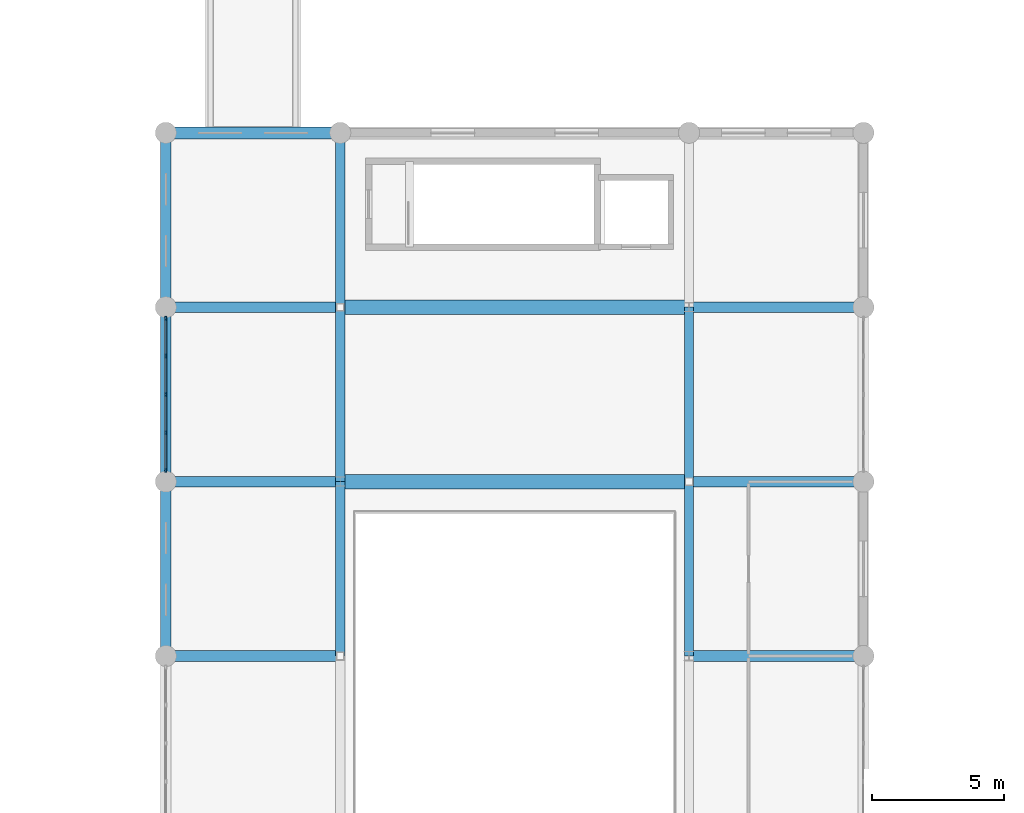
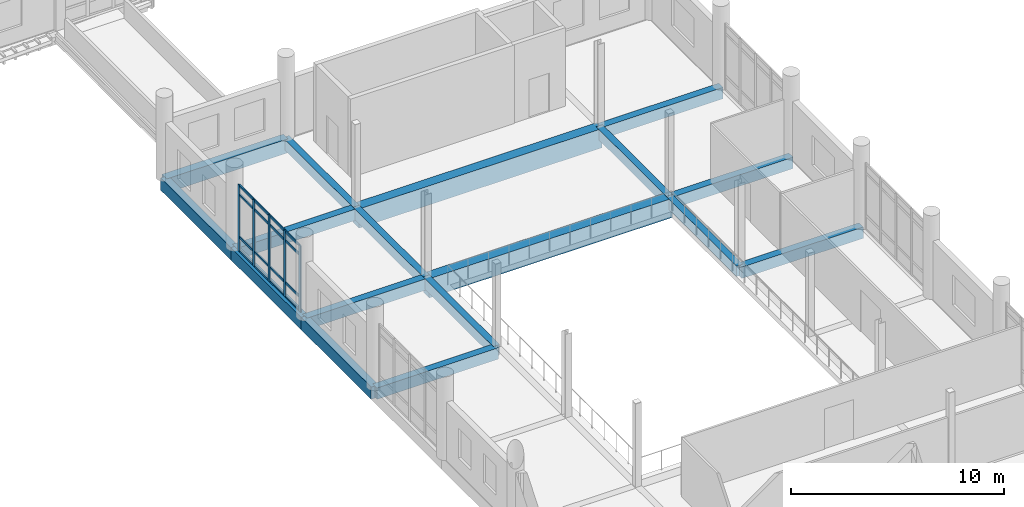
# One storey, part 13 of 76: 21 members, 17 beams, 1 element without a shape of its own.
"""IFC4 building model written with IfcOpenShell, lengths in metres."""

from ifc_helpers import new_model, si_unit, direction, frame, origin, origin_2d, place, context, subcontext, project, spatial, rectangle, extrude, material, material_profile, profile_set, type_object, element, aggregate, save


model = new_model("IFC4")

# Units and contexts
model_context = context("Model", 3, precision=1e-05, world=origin(), true_north=direction((0.0, 1.0)))
body_context = subcontext(model_context, "Body", "Model", "MODEL_VIEW")
ifc_project = project(units=[si_unit("LENGTHUNIT", "METRE"), si_unit("AREAUNIT", "SQUARE_METRE"), si_unit("VOLUMEUNIT", "CUBIC_METRE"), si_unit("PLANEANGLEUNIT", "RADIAN"), si_unit("MASSUNIT", "GRAM", prefix="KILO")], contexts=[model_context])

# Site, building, storey
site_placement = place(None, origin())
site = spatial("IfcSite", under=ifc_project, at=site_placement, CompositionType="ELEMENT")
building_placement = place(site_placement, origin())
building = spatial("IfcBuilding", under=site, at=building_placement, Name="Dornvale Research Institute", CompositionType="ELEMENT")
storey_placement = place(building_placement, frame((0.0, 0.0, 15.0)))
storey = spatial("IfcBuildingStorey", under=building, at=storey_placement, Name="L03", CompositionType="ELEMENT", Elevation=15.0)

# Beams
ifc_material_1 = material(Name="Concrete f'c 45 MPa (C35/45)", Category="concrete")
ifc_material_profile_1 = material_profile(ifc_material_1, rectangle(XDim=0.35009765625, YDim=0.60009765625, at=origin_2d()), Name="RC 350x600")
ifc_profile_set_1 = profile_set([ifc_material_profile_1], Name="Concrete f'c 45 MPa (C35/45)")
beam_type_1 = type_object("IfcBeamType", Name="Beam_RC350x600_Floor", PredefinedType="BEAM", material=ifc_profile_set_1)
beam_1_placement = place(storey_placement, frame((46.199951171875, 66.0, -0.300048828125), z_axis=(0.0, 1.0, 0.0), x_axis=(-1.0, 0.0, 0.0)))
element("IfcBeam", 1, at=beam_1_placement, inside=storey, type_object=beam_type_1, Name="L03 transverse girder #1097", PredefinedType="BEAM", context=body_context, shape_type="SweptSolid", body=[
    extrude(rectangle(XDim=0.35009765625, YDim=0.60009765625, at=origin_2d()), origin(), (0.0, 0.0, 1.0), 6.60009765625),
])
beam_2_placement = place(storey_placement, frame((46.199951171875, 72.60009765625, -0.300048828125), z_axis=(0.0, 1.0, 0.0), x_axis=(-1.0, 0.0, 0.0)))
element("IfcBeam", 2, at=beam_2_placement, inside=storey, type_object=beam_type_1, Name="L03 transverse girder #1098", PredefinedType="BEAM", context=body_context, shape_type="SweptSolid", body=[
    extrude(rectangle(XDim=0.35009765625, YDim=0.60009765625, at=origin_2d()), origin(), (0.0, 0.0, 1.0), 6.599853515625),
])
for number, where, z_axis, x_axis, name in (
    (3, (46.199951171875, 79.199951171875, -0.300048828125), (0.0, 1.0, 0.0), (-1.0, 0.0, 0.0), "L03 transverse girder #1099"),
    (4, (59.39990234375, 66.0, -0.300048828125), (0.0, 1.0, 0.0), (-1.0, 0.0, 0.0), "L03 transverse girder #1104"),
):
    element("IfcBeam", number, at=place(storey_placement, frame(where, z_axis=z_axis, x_axis=x_axis)), inside=storey, type_object=beam_type_1, Name=name, PredefinedType="BEAM", context=body_context, shape_type="SweptSolid", body=[
        extrude(rectangle(XDim=0.35009765625, YDim=0.60009765625, at=origin_2d()), origin(), (0.0, 0.0, 1.0), 6.60009765625),
    ])
beam_3_placement = place(storey_placement, frame((59.39990234375, 72.60009765625, -0.300048828125), z_axis=(0.0, 1.0, 0.0), x_axis=(-1.0, 0.0, 0.0)))
element("IfcBeam", 5, at=beam_3_placement, inside=storey, type_object=beam_type_1, Name="L03 transverse girder #1105", PredefinedType="BEAM", context=body_context, shape_type="SweptSolid", body=[
    extrude(rectangle(XDim=0.35009765625, YDim=0.60009765625, at=origin_2d()), origin(), (0.0, 0.0, 1.0), 6.599853515625),
])
ifc_material_2 = material(Name="Concrete f'c 45 MPa (C35/45)", Category="concrete")
ifc_material_profile_2 = material_profile(ifc_material_2, rectangle(XDim=0.39990234375, YDim=0.64990234375, at=origin_2d()), Name="RC 400x650")
ifc_profile_set_2 = profile_set([ifc_material_profile_2], Name="Concrete f'c 45 MPa (C35/45)")
beam_type_2 = type_object("IfcBeamType", Name="Beam_RC400x650_Floor", PredefinedType="BEAM", material=ifc_profile_set_2)
beam_4_placement = place(storey_placement, frame((39.60009765625, 66.0, -0.324951171875), z_axis=(1.0, 0.0, 0.0), x_axis=(0.0, 1.0, 0.0)))
element("IfcBeam", 6, at=beam_4_placement, inside=storey, type_object=beam_type_2, Name="L03 primary girder #1075", PredefinedType="BEAM", context=body_context, shape_type="SweptSolid", body=[
    extrude(rectangle(XDim=0.39990234375, YDim=0.64990234375, at=origin_2d()), origin(), (0.0, 0.0, 1.0), 6.599853515625),
])
beam_5_placement = place(storey_placement, frame((59.39990234375, 66.0, -0.324951171875), z_axis=(1.0, 0.0, 0.0), x_axis=(0.0, 1.0, 0.0)))
element("IfcBeam", 7, at=beam_5_placement, inside=storey, type_object=beam_type_2, Name="L03 primary girder #1076", PredefinedType="BEAM", context=body_context, shape_type="SweptSolid", body=[
    extrude(rectangle(XDim=0.39990234375, YDim=0.64990234375, at=origin_2d()), origin(), (0.0, 0.0, 1.0), 6.60009765625),
])
beam_6_placement = place(storey_placement, frame((39.60009765625, 72.60009765625, -0.324951171875), z_axis=(1.0, 0.0, 0.0), x_axis=(0.0, 1.0, 0.0)))
element("IfcBeam", 8, at=beam_6_placement, inside=storey, type_object=beam_type_2, Name="L03 primary girder #1077", PredefinedType="BEAM", context=body_context, shape_type="SweptSolid", body=[
    extrude(rectangle(XDim=0.39990234375, YDim=0.64990234375, at=origin_2d()), origin(), (0.0, 0.0, 1.0), 6.599853515625),
])
beam_7_placement = place(storey_placement, frame((59.39990234375, 72.60009765625, -0.324951171875), z_axis=(1.0, 0.0, 0.0), x_axis=(0.0, 1.0, 0.0)))
element("IfcBeam", 9, at=beam_7_placement, inside=storey, type_object=beam_type_2, Name="L03 primary girder #1079", PredefinedType="BEAM", context=body_context, shape_type="SweptSolid", body=[
    extrude(rectangle(XDim=0.39990234375, YDim=0.64990234375, at=origin_2d()), origin(), (0.0, 0.0, 1.0), 6.60009765625),
])
beam_8_placement = place(storey_placement, frame((39.60009765625, 79.199951171875, -0.324951171875), z_axis=(1.0, 0.0, 0.0), x_axis=(0.0, 1.0, 0.0)))
element("IfcBeam", 10, at=beam_8_placement, inside=storey, type_object=beam_type_2, Name="L03 primary girder #1080", PredefinedType="BEAM", context=body_context, shape_type="SweptSolid", body=[
    extrude(rectangle(XDim=0.39990234375, YDim=0.64990234375, at=origin_2d()), origin(), (0.0, 0.0, 1.0), 6.599853515625),
])
beam_9_placement = place(storey_placement, frame((59.39990234375, 79.199951171875, -0.324951171875), z_axis=(1.0, 0.0, 0.0), x_axis=(0.0, 1.0, 0.0)))
element("IfcBeam", 11, at=beam_9_placement, inside=storey, type_object=beam_type_2, Name="L03 primary girder #1082", PredefinedType="BEAM", context=body_context, shape_type="SweptSolid", body=[
    extrude(rectangle(XDim=0.39990234375, YDim=0.64990234375, at=origin_2d()), origin(), (0.0, 0.0, 1.0), 6.60009765625),
])
ifc_material_3 = material(Name="Concrete f'c 45 MPa (C35/45)", Category="concrete")
ifc_material_profile_3 = material_profile(ifc_material_3, rectangle(XDim=0.550048828125, YDim=1.10009765625, at=origin_2d()), Name="RC 550x1100")
ifc_profile_set_3 = profile_set([ifc_material_profile_3], Name="Concrete f'c 45 MPa (C35/45)")
beam_type_3 = type_object("IfcBeamType", Name="Beam_RC550x1100_Girder", PredefinedType="BEAM", material=ifc_profile_set_3)
for number, where, z_axis, x_axis, name in (
    (12, (46.199951171875, 72.60009765625, -0.550048828125), (1.0, 0.0, 0.0), (0.0, 1.0, 0.0), "L03 primary girder #1078"),
    (13, (46.199951171875, 79.199951171875, -0.550048828125), (1.0, 0.0, 0.0), (0.0, 1.0, 0.0), "L03 primary girder #1081"),
):
    element("IfcBeam", number, at=place(storey_placement, frame(where, z_axis=z_axis, x_axis=x_axis)), inside=storey, type_object=beam_type_3, Name=name, PredefinedType="BEAM", context=body_context, shape_type="SweptSolid", body=[
        extrude(rectangle(XDim=0.550048828125, YDim=1.10009765625, at=origin_2d()), origin(), (0.0, 0.0, 1.0), 13.199951171875),
    ])

# Curtain wall, members
ifc_material_4 = material(Name="Low-E Argon Double Insulating Glazing Unit", Category="glass")
curtain_wall_type = type_object("IfcCurtainWallType", Name="UnitisedCurtainWall_V2_5810x3820", PredefinedType="USERDEFINED", material=ifc_material_4)
curtain_wall_placement = place(storey_placement, origin())
curtain_wall = element("IfcCurtainWall", 14, at=curtain_wall_placement, inside=storey, type_object=curtain_wall_type, Name="L03 V2 unitised curtain wall CW-03 #16", ObjectType="UNITISED CURTAIN WALL", PredefinedType="USERDEFINED")
ifc_material_5 = material(Name="Anodized Aluminum AA 6063-T6 Thermally Broken Frame", Category="aluminium")
ifc_material_profile_4 = material_profile(ifc_material_5, rectangle(XDim=0.06494140625, YDim=0.1650390625, at=origin_2d()), Name="ALU MULLION 65x165")
ifc_profile_set_4 = profile_set([ifc_material_profile_4], Name="Anodized Aluminum AA 6063-T6 Thermally Broken Frame")
member_type_1 = type_object("IfcMemberType", Name="Mullion_Atrium_65x165", PredefinedType="MULLION", material=ifc_profile_set_4)
member_1_placement = place(storey_placement, frame((39.60009765625, 73.027587890625, 0.0), z_axis=(0.0, 0.0, 1.0), x_axis=(-1.0, 0.0, 0.0)))
member_1 = element("IfcMember", 15, at=member_1_placement, type_object=member_type_1, Name="CW-03 mullion 1", PredefinedType="MULLION", context=body_context, shape_type="SweptSolid", body=[
    extrude(rectangle(XDim=0.06494140625, YDim=0.1650390625, at=origin_2d()), origin(), (0.0, 0.0, 1.0), 3.820068359375),
])
member_2_placement = place(storey_placement, frame((39.60009765625, 74.447509765625, 0.0), z_axis=(0.0, 0.0, 1.0), x_axis=(-1.0, 0.0, 0.0)))
member_2 = element("IfcMember", 16, at=member_2_placement, type_object=member_type_1, Name="CW-03 mullion 2", PredefinedType="MULLION", context=body_context, shape_type="SweptSolid", body=[
    extrude(rectangle(XDim=0.06494140625, YDim=0.1650390625, at=origin_2d()), origin(), (0.0, 0.0, 1.0), 3.820068359375),
])
member_3_placement = place(storey_placement, frame((39.60009765625, 75.89990234375, 0.0), z_axis=(0.0, 0.0, 1.0), x_axis=(-1.0, 0.0, 0.0)))
member_3 = element("IfcMember", 17, at=member_3_placement, type_object=member_type_1, Name="CW-03 mullion 3", PredefinedType="MULLION", context=body_context, shape_type="SweptSolid", body=[
    extrude(rectangle(XDim=0.06494140625, YDim=0.1650390625, at=origin_2d()), origin(), (0.0, 0.0, 1.0), 3.820068359375),
])
member_4_placement = place(storey_placement, frame((39.60009765625, 77.3525390625, 0.0), z_axis=(0.0, 0.0, 1.0), x_axis=(-1.0, 0.0, 0.0)))
member_4 = element("IfcMember", 18, at=member_4_placement, type_object=member_type_1, Name="CW-03 mullion 4", PredefinedType="MULLION", context=body_context, shape_type="SweptSolid", body=[
    extrude(rectangle(XDim=0.06494140625, YDim=0.1650390625, at=origin_2d()), origin(), (0.0, 0.0, 1.0), 3.820068359375),
])
member_5_placement = place(storey_placement, frame((39.60009765625, 78.7724609375, 0.0), z_axis=(0.0, 0.0, 1.0), x_axis=(-1.0, 0.0, 0.0)))
member_5 = element("IfcMember", 19, at=member_5_placement, type_object=member_type_1, Name="CW-03 mullion 5", PredefinedType="MULLION", context=body_context, shape_type="SweptSolid", body=[
    extrude(rectangle(XDim=0.06494140625, YDim=0.1650390625, at=origin_2d()), origin(), (0.0, 0.0, 1.0), 3.820068359375),
])

# Beams
ifc_material_6 = material(Name="Concrete f'c 45 MPa (C35/45)", Category="concrete")
ifc_material_profile_5 = material_profile(ifc_material_6, rectangle(XDim=0.39990234375, YDim=0.699951171875, at=origin_2d()), Name="RC 400x700")
ifc_profile_set_5 = profile_set([ifc_material_profile_5], Name="Concrete f'c 45 MPa (C35/45)")
beam_type_4 = type_object("IfcBeamType", Name="Spandrel_RC400x700_Ext", PredefinedType="SPANDREL", material=ifc_profile_set_5)
beam_10_placement = place(storey_placement, frame((39.60009765625, 66.0, -0.35009765625), z_axis=(0.0, 1.0, 0.0), x_axis=(-1.0, 0.0, 0.0)))
element("IfcBeam", 20, at=beam_10_placement, inside=storey, type_object=beam_type_4, Name="L03 perimeter spandrel #1090", PredefinedType="SPANDREL", context=body_context, shape_type="SweptSolid", body=[
    extrude(rectangle(XDim=0.39990234375, YDim=0.699951171875, at=origin_2d()), origin(), (0.0, 0.0, 1.0), 6.60009765625),
])
beam_11_placement = place(storey_placement, frame((39.60009765625, 72.60009765625, -0.35009765625), z_axis=(0.0, 1.0, 0.0), x_axis=(-1.0, 0.0, 0.0)))
element("IfcBeam", 21, at=beam_11_placement, inside=storey, type_object=beam_type_4, Name="L03 perimeter spandrel #1091", PredefinedType="SPANDREL", context=body_context, shape_type="SweptSolid", body=[
    extrude(rectangle(XDim=0.39990234375, YDim=0.699951171875, at=origin_2d()), origin(), (0.0, 0.0, 1.0), 6.599853515625),
])
beam_12_placement = place(storey_placement, frame((39.60009765625, 79.199951171875, -0.35009765625), z_axis=(0.0, 1.0, 0.0), x_axis=(-1.0, 0.0, 0.0)))
element("IfcBeam", 22, at=beam_12_placement, inside=storey, type_object=beam_type_4, Name="L03 perimeter spandrel #1092", PredefinedType="SPANDREL", context=body_context, shape_type="SweptSolid", body=[
    extrude(rectangle(XDim=0.39990234375, YDim=0.699951171875, at=origin_2d()), origin(), (0.0, 0.0, 1.0), 6.60009765625),
])
ifc_material_7 = material(Name="Concrete f'c 45 MPa (C35/45)", Category="concrete")
ifc_material_profile_6 = material_profile(ifc_material_7, rectangle(XDim=0.449951171875, YDim=0.800048828125, at=origin_2d()), Name="RC 450x800")
ifc_profile_set_6 = profile_set([ifc_material_profile_6], Name="Concrete f'c 45 MPa (C35/45)")
beam_type_5 = type_object("IfcBeamType", Name="Spandrel_RC450x800_Ext", PredefinedType="SPANDREL", material=ifc_profile_set_6)
beam_13_placement = place(storey_placement, frame((39.60009765625, 85.800048828125, -0.39990234375), z_axis=(1.0, 0.0, 0.0), x_axis=(0.0, 1.0, 0.0)))
element("IfcBeam", 23, at=beam_13_placement, inside=storey, type_object=beam_type_5, Name="L03 perimeter spandrel #1083", PredefinedType="SPANDREL", context=body_context, shape_type="SweptSolid", body=[
    extrude(rectangle(XDim=0.449951171875, YDim=0.800048828125, at=origin_2d()), origin(), (0.0, 0.0, 1.0), 6.599853515625),
])

# Member
ifc_material_8 = material(Name="Anodized Aluminum AA 6063-T6 Thermally Broken Frame", Category="aluminium")
ifc_material_profile_7 = material_profile(ifc_material_8, rectangle(XDim=0.06494140625, YDim=0.135009765625, at=origin_2d()), Name="ALU TRANSOM 65x135")
ifc_profile_set_7 = profile_set([ifc_material_profile_7], Name="Anodized Aluminum AA 6063-T6 Thermally Broken Frame")
member_type_2 = type_object("IfcMemberType", Name="Transom_CW_65x135", PredefinedType="USERDEFINED", material=ifc_profile_set_7)
member_6_placement = place(storey_placement, frame((39.60009765625, 73.06005859375, 0.032470703125), z_axis=(0.0, 1.0, 0.0), x_axis=(-1.0, 0.0, 0.0)))
member_6 = element("IfcMember", 24, at=member_6_placement, type_object=member_type_2, Name="CW-03 transom 1.1", ObjectType="TRANSOM", PredefinedType="USERDEFINED", context=body_context, shape_type="SweptSolid", body=[
    extrude(rectangle(XDim=0.06494140625, YDim=0.135009765625, at=origin_2d()), origin(), (0.0, 0.0, 1.0), 1.35498046875),
])

member_7_placement = place(storey_placement, frame((39.60009765625, 73.06005859375, 0.85009765625), z_axis=(0.0, 1.0, 0.0), x_axis=(-1.0, 0.0, 0.0)))
member_7 = element("IfcMember", 25, at=member_7_placement, type_object=member_type_2, Name="CW-03 transom 1.2", ObjectType="TRANSOM", PredefinedType="USERDEFINED", context=body_context, shape_type="SweptSolid", body=[
    extrude(rectangle(XDim=0.06494140625, YDim=0.135009765625, at=origin_2d()), origin(), (0.0, 0.0, 1.0), 1.35498046875),
])

member_8_placement = place(storey_placement, frame((39.60009765625, 73.06005859375, 3.27001953125), z_axis=(0.0, 1.0, 0.0), x_axis=(-1.0, 0.0, 0.0)))
member_8 = element("IfcMember", 26, at=member_8_placement, type_object=member_type_2, Name="CW-03 transom 1.3", ObjectType="TRANSOM", PredefinedType="USERDEFINED", context=body_context, shape_type="SweptSolid", body=[
    extrude(rectangle(XDim=0.06494140625, YDim=0.135009765625, at=origin_2d()), origin(), (0.0, 0.0, 1.0), 1.35498046875),
])

member_9_placement = place(storey_placement, frame((39.60009765625, 73.06005859375, 3.78759765625), z_axis=(0.0, 1.0, 0.0), x_axis=(-1.0, 0.0, 0.0)))
member_9 = element("IfcMember", 27, at=member_9_placement, type_object=member_type_2, Name="CW-03 transom 1.4", ObjectType="TRANSOM", PredefinedType="USERDEFINED", context=body_context, shape_type="SweptSolid", body=[
    extrude(rectangle(XDim=0.06494140625, YDim=0.135009765625, at=origin_2d()), origin(), (0.0, 0.0, 1.0), 1.35498046875),
])

member_10_placement = place(storey_placement, frame((39.60009765625, 74.47998046875, 0.032470703125), z_axis=(0.0, 1.0, 0.0), x_axis=(-1.0, 0.0, 0.0)))
member_10 = element("IfcMember", 28, at=member_10_placement, type_object=member_type_2, Name="CW-03 transom 2.1", ObjectType="TRANSOM", PredefinedType="USERDEFINED", context=body_context, shape_type="SweptSolid", body=[
    extrude(rectangle(XDim=0.06494140625, YDim=0.135009765625, at=origin_2d()), origin(), (0.0, 0.0, 1.0), 1.387451171875),
])

member_11_placement = place(storey_placement, frame((39.60009765625, 74.47998046875, 0.85009765625), z_axis=(0.0, 1.0, 0.0), x_axis=(-1.0, 0.0, 0.0)))
member_11 = element("IfcMember", 29, at=member_11_placement, type_object=member_type_2, Name="CW-03 transom 2.2", ObjectType="TRANSOM", PredefinedType="USERDEFINED", context=body_context, shape_type="SweptSolid", body=[
    extrude(rectangle(XDim=0.06494140625, YDim=0.135009765625, at=origin_2d()), origin(), (0.0, 0.0, 1.0), 1.387451171875),
])

member_12_placement = place(storey_placement, frame((39.60009765625, 74.47998046875, 3.27001953125), z_axis=(0.0, 1.0, 0.0), x_axis=(-1.0, 0.0, 0.0)))
member_12 = element("IfcMember", 30, at=member_12_placement, type_object=member_type_2, Name="CW-03 transom 2.3", ObjectType="TRANSOM", PredefinedType="USERDEFINED", context=body_context, shape_type="SweptSolid", body=[
    extrude(rectangle(XDim=0.06494140625, YDim=0.135009765625, at=origin_2d()), origin(), (0.0, 0.0, 1.0), 1.387451171875),
])

member_13_placement = place(storey_placement, frame((39.60009765625, 74.47998046875, 3.78759765625), z_axis=(0.0, 1.0, 0.0), x_axis=(-1.0, 0.0, 0.0)))
member_13 = element("IfcMember", 31, at=member_13_placement, type_object=member_type_2, Name="CW-03 transom 2.4", ObjectType="TRANSOM", PredefinedType="USERDEFINED", context=body_context, shape_type="SweptSolid", body=[
    extrude(rectangle(XDim=0.06494140625, YDim=0.135009765625, at=origin_2d()), origin(), (0.0, 0.0, 1.0), 1.387451171875),
])

member_14_placement = place(storey_placement, frame((39.60009765625, 75.9326171875, 0.032470703125), z_axis=(0.0, 1.0, 0.0), x_axis=(-1.0, 0.0, 0.0)))
member_14 = element("IfcMember", 32, at=member_14_placement, type_object=member_type_2, Name="CW-03 transom 3.1", ObjectType="TRANSOM", PredefinedType="USERDEFINED", context=body_context, shape_type="SweptSolid", body=[
    extrude(rectangle(XDim=0.06494140625, YDim=0.135009765625, at=origin_2d()), origin(), (0.0, 0.0, 1.0), 1.387451171875),
])

member_15_placement = place(storey_placement, frame((39.60009765625, 75.9326171875, 0.85009765625), z_axis=(0.0, 1.0, 0.0), x_axis=(-1.0, 0.0, 0.0)))
member_15 = element("IfcMember", 33, at=member_15_placement, type_object=member_type_2, Name="CW-03 transom 3.2", ObjectType="TRANSOM", PredefinedType="USERDEFINED", context=body_context, shape_type="SweptSolid", body=[
    extrude(rectangle(XDim=0.06494140625, YDim=0.135009765625, at=origin_2d()), origin(), (0.0, 0.0, 1.0), 1.387451171875),
])

member_16_placement = place(storey_placement, frame((39.60009765625, 75.9326171875, 3.27001953125), z_axis=(0.0, 1.0, 0.0), x_axis=(-1.0, 0.0, 0.0)))
member_16 = element("IfcMember", 34, at=member_16_placement, type_object=member_type_2, Name="CW-03 transom 3.3", ObjectType="TRANSOM", PredefinedType="USERDEFINED", context=body_context, shape_type="SweptSolid", body=[
    extrude(rectangle(XDim=0.06494140625, YDim=0.135009765625, at=origin_2d()), origin(), (0.0, 0.0, 1.0), 1.387451171875),
])

member_17_placement = place(storey_placement, frame((39.60009765625, 75.9326171875, 3.78759765625), z_axis=(0.0, 1.0, 0.0), x_axis=(-1.0, 0.0, 0.0)))
member_17 = element("IfcMember", 35, at=member_17_placement, type_object=member_type_2, Name="CW-03 transom 3.4", ObjectType="TRANSOM", PredefinedType="USERDEFINED", context=body_context, shape_type="SweptSolid", body=[
    extrude(rectangle(XDim=0.06494140625, YDim=0.135009765625, at=origin_2d()), origin(), (0.0, 0.0, 1.0), 1.387451171875),
])

member_18_placement = place(storey_placement, frame((39.60009765625, 77.385009765625, 0.032470703125), z_axis=(0.0, 1.0, 0.0), x_axis=(-1.0, 0.0, 0.0)))
member_18 = element("IfcMember", 36, at=member_18_placement, type_object=member_type_2, Name="CW-03 transom 4.1", ObjectType="TRANSOM", PredefinedType="USERDEFINED", context=body_context, shape_type="SweptSolid", body=[
    extrude(rectangle(XDim=0.06494140625, YDim=0.135009765625, at=origin_2d()), origin(), (0.0, 0.0, 1.0), 1.35498046875),
])

member_19_placement = place(storey_placement, frame((39.60009765625, 77.385009765625, 0.85009765625), z_axis=(0.0, 1.0, 0.0), x_axis=(-1.0, 0.0, 0.0)))
member_19 = element("IfcMember", 37, at=member_19_placement, type_object=member_type_2, Name="CW-03 transom 4.2", ObjectType="TRANSOM", PredefinedType="USERDEFINED", context=body_context, shape_type="SweptSolid", body=[
    extrude(rectangle(XDim=0.06494140625, YDim=0.135009765625, at=origin_2d()), origin(), (0.0, 0.0, 1.0), 1.35498046875),
])

member_20_placement = place(storey_placement, frame((39.60009765625, 77.385009765625, 3.27001953125), z_axis=(0.0, 1.0, 0.0), x_axis=(-1.0, 0.0, 0.0)))
member_20 = element("IfcMember", 38, at=member_20_placement, type_object=member_type_2, Name="CW-03 transom 4.3", ObjectType="TRANSOM", PredefinedType="USERDEFINED", context=body_context, shape_type="SweptSolid", body=[
    extrude(rectangle(XDim=0.06494140625, YDim=0.135009765625, at=origin_2d()), origin(), (0.0, 0.0, 1.0), 1.35498046875),
])

member_21_placement = place(storey_placement, frame((39.60009765625, 77.385009765625, 3.78759765625), z_axis=(0.0, 1.0, 0.0), x_axis=(-1.0, 0.0, 0.0)))
member_21 = element("IfcMember", 39, at=member_21_placement, type_object=member_type_2, Name="CW-03 transom 4.4", ObjectType="TRANSOM", PredefinedType="USERDEFINED", context=body_context, shape_type="SweptSolid", body=[
    extrude(rectangle(XDim=0.06494140625, YDim=0.135009765625, at=origin_2d()), origin(), (0.0, 0.0, 1.0), 1.35498046875),
])

aggregate(curtain_wall, [member_1, member_2, member_3, member_4, member_5, member_6, member_7, member_8, member_9, member_10, member_11, member_12, member_13, member_14, member_15, member_16, member_17, member_18, member_19, member_20, member_21])

save(model, "model.ifc")
